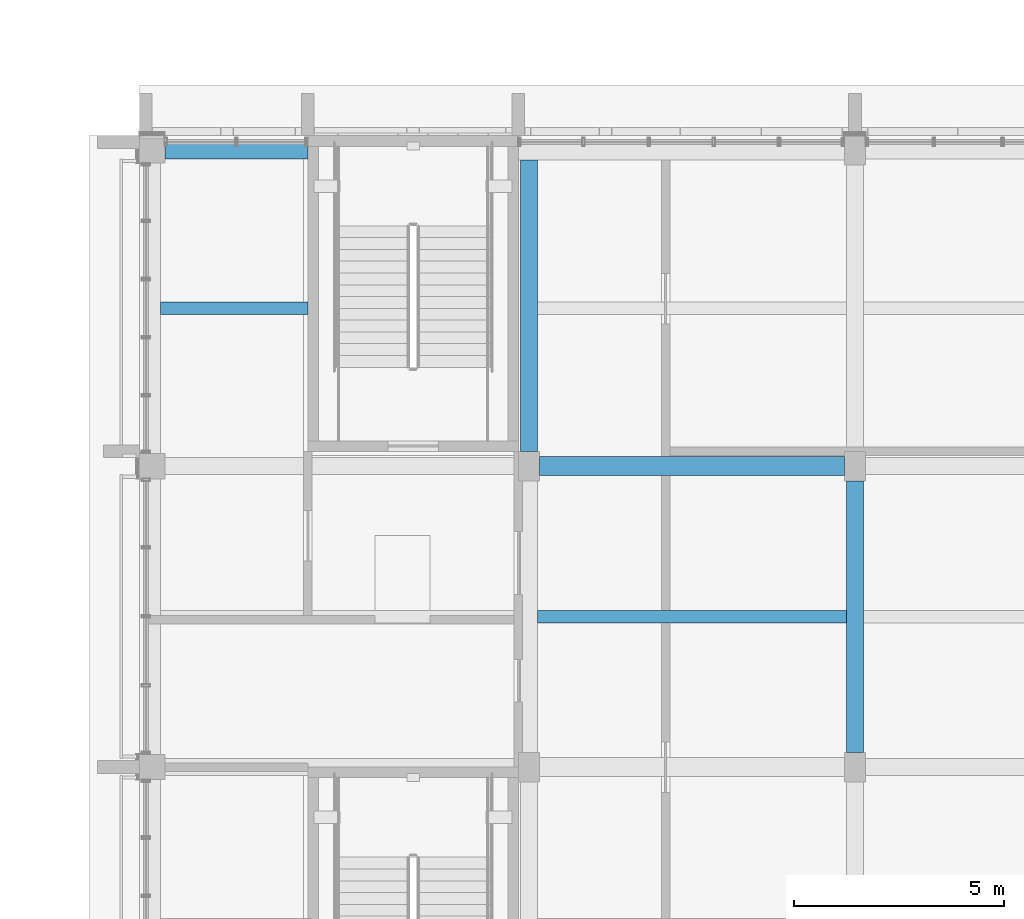
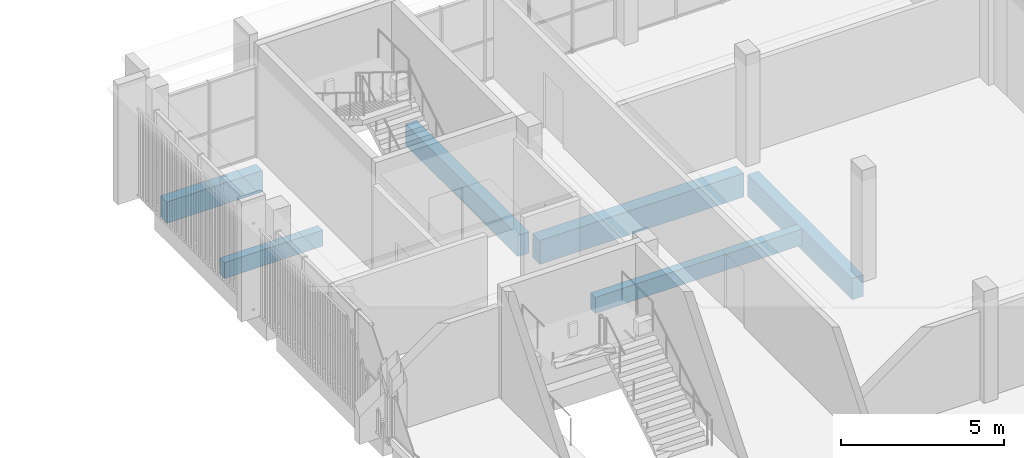
# One storey, part 36 of 98: 6 beams.
"""IFC4 building model written with IfcOpenShell, lengths in metres."""

from ifc_helpers import new_model, si_unit, direction, frame, origin, origin_2d, place, context, subcontext, project, spatial, rectangle, extrude, material, material_profile, profile_set, type_object, element, save


model = new_model("IFC4")

# Units and contexts
model_context = context("Model", 3, precision=1e-05, world=origin(), true_north=direction((0.0, 1.0)))
body_context = subcontext(model_context, "Body", "Model", "MODEL_VIEW")
ifc_project = project(units=[si_unit("LENGTHUNIT", "METRE"), si_unit("AREAUNIT", "SQUARE_METRE"), si_unit("VOLUMEUNIT", "CUBIC_METRE"), si_unit("PLANEANGLEUNIT", "RADIAN"), si_unit("MASSUNIT", "GRAM", prefix="KILO")], contexts=[model_context])

# Site, building, storey
site_placement = place(None, origin())
site = spatial("IfcSite", under=ifc_project, at=site_placement, CompositionType="ELEMENT")
building_placement = place(site_placement, origin())
building = spatial("IfcBuilding", under=site, at=building_placement, Name="Sun Court Science Centre", CompositionType="ELEMENT")
storey_placement = place(building_placement, frame((0.0, 0.0, 15.75)))
storey = spatial("IfcBuildingStorey", under=building, at=storey_placement, Name="L03", CompositionType="ELEMENT", Elevation=15.75)

# Beams
ifc_material_1 = material(Name="Concrete C25/30", Category="concrete")
ifc_material_profile_1 = material_profile(ifc_material_1, rectangle(XDim=0.39990234375, YDim=0.800048828125, at=origin_2d()), Name="RC 400x800")
ifc_profile_set_1 = profile_set([ifc_material_profile_1], Name="Concrete C25/30")
beam_type_1 = type_object("IfcBeamType", Name="RC girder 400x800", PredefinedType="BEAM", material=ifc_profile_set_1)
beam_1_placement = place(storey_placement, frame((78.60009765625, 80.64990234375, -0.699951171875), z_axis=(1.0, 0.0, 0.0), x_axis=(0.0, 1.0, 0.0)))
element("IfcBeam", 1, at=beam_1_placement, inside=storey, type_object=beam_type_1, Name="Girder L03 row 11", PredefinedType="BEAM", context=body_context, shape_type="SweptSolid", body=[
    extrude(rectangle(XDim=0.39990234375, YDim=0.800048828125, at=origin_2d()), origin(), (0.0, 0.0, 1.0), 3.39990234375),
])
beam_2_placement = place(storey_placement, frame((87.25, 73.5, -0.699951171875), z_axis=(0.0, 1.0, 0.0), x_axis=(-1.0, 0.0, 0.0)))
element("IfcBeam", 2, at=beam_2_placement, inside=storey, type_object=beam_type_1, Name="Girder L03 line 2", PredefinedType="BEAM", context=body_context, shape_type="SweptSolid", body=[
    extrude(rectangle(XDim=0.39990234375, YDim=0.800048828125, at=origin_2d()), origin(), (0.0, 0.0, 1.0), 6.925048828125),
])
beam_3_placement = place(storey_placement, frame((95.0, 66.35009765625, -0.699951171875), z_axis=(0.0, 1.0, 0.0), x_axis=(-1.0, 0.0, 0.0)))
element("IfcBeam", 3, at=beam_3_placement, inside=storey, type_object=beam_type_1, Name="Girder L03 line 3", PredefinedType="BEAM", context=body_context, shape_type="SweptSolid", body=[
    extrude(rectangle(XDim=0.39990234375, YDim=0.800048828125, at=origin_2d()), origin(), (0.0, 0.0, 1.0), 6.449951171875),
])
ifc_material_2 = material(Name="Concrete C25/30", Category="concrete")
ifc_material_profile_2 = material_profile(ifc_material_2, rectangle(XDim=0.449951171875, YDim=0.89990234375, at=origin_2d()), Name="RC 450x900")
ifc_profile_set_2 = profile_set([ifc_material_profile_2], Name="Concrete C25/30")
beam_type_2 = type_object("IfcBeamType", Name="RC girder 450x900", PredefinedType="BEAM", material=ifc_profile_set_2)
beam_4_placement = place(storey_placement, frame((87.5, 73.14990234375, -0.75), z_axis=(1.0, 0.0, 0.0), x_axis=(0.0, 1.0, 0.0)))
element("IfcBeam", 4, at=beam_4_placement, inside=storey, type_object=beam_type_2, Name="Girder L03 row 10", PredefinedType="BEAM", context=body_context, shape_type="SweptSolid", body=[
    extrude(rectangle(XDim=0.449951171875, YDim=0.89990234375, at=origin_2d()), origin(), (0.0, 0.0, 1.0), 7.25),
])
ifc_material_3 = material(Name="Concrete C25/30", Category="concrete")
ifc_material_profile_3 = material_profile(ifc_material_3, rectangle(XDim=0.300048828125, YDim=0.60009765625, at=origin_2d()), Name="RC 300x600")
ifc_profile_set_3 = profile_set([ifc_material_profile_3], Name="Concrete C25/30")
beam_type_3 = type_object("IfcBeamType", Name="RC joist 300x600", PredefinedType="JOIST", material=ifc_profile_set_3)
beam_5_placement = place(storey_placement, frame((87.449951171875, 69.574951171875, -0.60009765625), z_axis=(1.0, 0.0, 0.0), x_axis=(0.0, 1.0, 0.0)))
element("IfcBeam", 5, at=beam_5_placement, inside=storey, type_object=beam_type_3, Name="Joist L03", PredefinedType="JOIST", context=body_context, shape_type="SweptSolid", body=[
    extrude(rectangle(XDim=0.300048828125, YDim=0.60009765625, at=origin_2d()), origin(), (0.0, 0.0, 1.0), 7.35009765625),
])
beam_6_placement = place(storey_placement, frame((78.5, 76.89990234375, -0.60009765625), z_axis=(1.0, 0.0, 0.0), x_axis=(0.0, 1.0, 0.0)))
element("IfcBeam", 6, at=beam_6_placement, inside=storey, type_object=beam_type_3, Name="Joist L03", PredefinedType="JOIST", context=body_context, shape_type="SweptSolid", body=[
    extrude(rectangle(XDim=0.300048828125, YDim=0.60009765625, at=origin_2d()), origin(), (0.0, 0.0, 1.0), 3.5),
])

save(model, "model.ifc")
